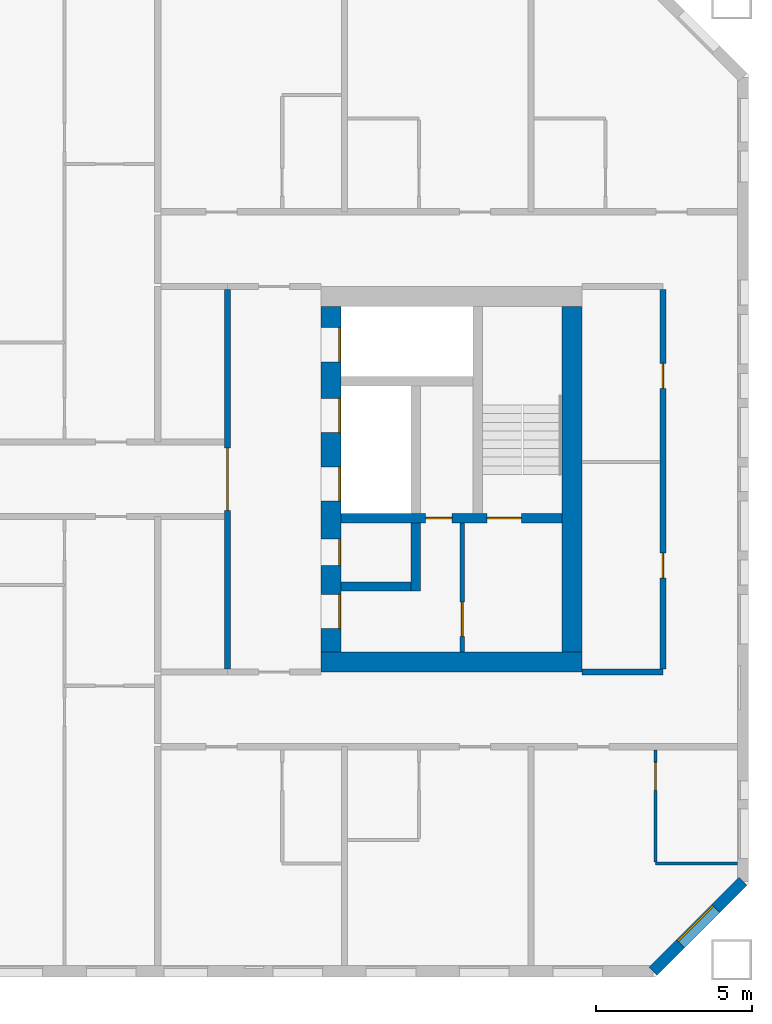
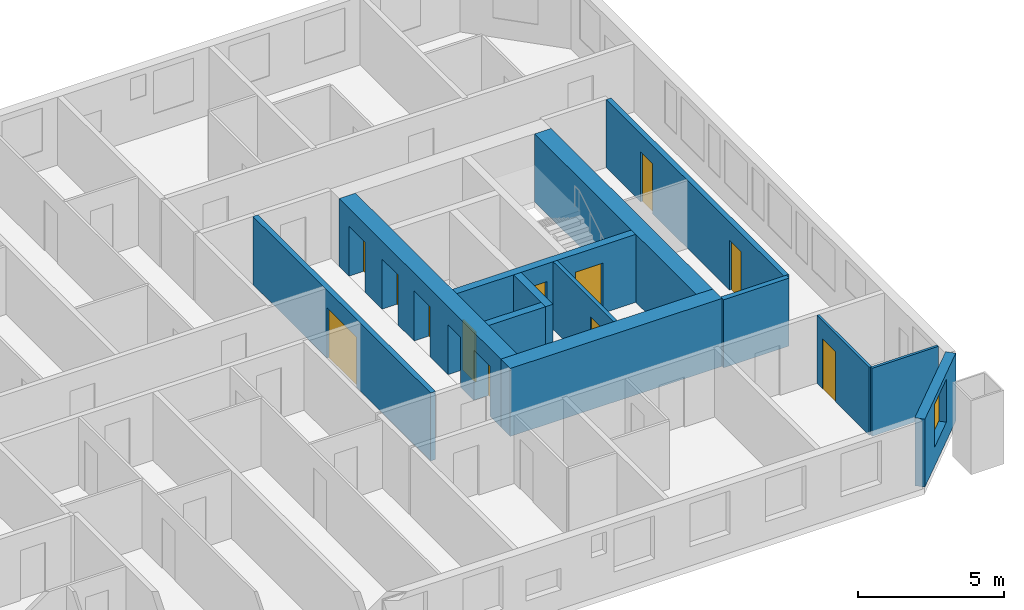
# One storey, part 13 of 17: 13 walls, 12 doors, 1 window, 13 openings.
"""IFC4 building model written with IfcOpenShell, lengths in metres."""

from ifc_helpers import new_model, si_unit, direction, frame, frame_2d, origin, place, context, subcontext, project, spatial, rectangle, extrude, material, layer, layer_set, type_object, element, fill, save


model = new_model("IFC4")

# Units and contexts
model_context = context("Model", 3, precision=1e-05, world=origin(), true_north=direction((0.0, 1.0)))
body_context = subcontext(model_context, "Body", "Model", "MODEL_VIEW")
ifc_project = project(units=[si_unit("LENGTHUNIT", "METRE"), si_unit("AREAUNIT", "SQUARE_METRE"), si_unit("VOLUMEUNIT", "CUBIC_METRE"), si_unit("PLANEANGLEUNIT", "RADIAN"), si_unit("MASSUNIT", "GRAM", prefix="KILO")], contexts=[model_context])

# Site, building, storey
site_placement = place(None, origin())
site = spatial("IfcSite", under=ifc_project, at=site_placement, CompositionType="ELEMENT")
building_placement = place(site_placement, origin())
building = spatial("IfcBuilding", under=site, at=building_placement, Name="Tuart Gate Housing", CompositionType="ELEMENT")
storey_placement = place(building_placement, frame((0.0, 0.0, 108.800048828125)))
storey = spatial("IfcBuildingStorey", under=building, at=storey_placement, Name="L30", CompositionType="ELEMENT", Elevation=108.800048828125)

# Wall, opening, window
ifc_material_1 = material(Name="Brick", Category="masonry")
ifc_layer_1 = layer(ifc_material_1, 0.360107421875)
ifc_layer_set_1 = layer_set([ifc_layer_1], Name="Brick pier and spandrel wall 360")
wall_type_1 = type_object("IfcWallType", Name="Brick pier and spandrel wall 360", PredefinedType="STANDARD", material=ifc_layer_set_1)
wall_1_placement = place(storey_placement, frame((170.92529296875, 54.179931640625, 0.0), z_axis=(0.0, 0.0, 1.0), x_axis=(0.707106781187, 0.707106781187, 0.0)))
wall_1 = element("IfcWall", 1, at=wall_1_placement, inside=storey, type_object=wall_type_1, Name="External wall B-SE L30", PredefinedType="STANDARD", context=body_context, shape_type="SweptSolid", body=[
    extrude(rectangle(XDim=4.09375, YDim=0.360107421875, at=frame_2d((2.046875, 0.0))), origin(), (0.0, 0.0, 1.0), 2.849853515625),
])
opening_1_placement = place(wall_1_placement, frame((1.2470703125, 0.0, 0.800048828125)))
opening_1 = element("IfcOpeningElement", 2, at=opening_1_placement, cuts=wall_1, Name="Opening W1", PredefinedType="OPENING", context=body_context, shape_type="SweptSolid", body=[
    extrude(rectangle(XDim=1.60009765625, YDim=1.800048828125, at=frame_2d((0.800048828125, 0.89990234375))), frame((0.0, 0.18994140625, 0.0), z_axis=(0.0, -1.0, 0.0), x_axis=(1.0, 0.0, 0.0)), (0.0, 0.0, 1.0), 0.380126953125),
])
ifc_material_2 = material(Name="Aluminium frame with clear glass", Category="aluminium")
window_type = type_object("IfcWindowType", Name="Punched window 1600 x 1800", PartitioningType="SINGLE_PANEL", PredefinedType="WINDOW", material=ifc_material_2)
window_placement = place(opening_1_placement, origin())
window = element("IfcWindow", 3, at=window_placement, inside=storey, type_object=window_type, Name="Window W1", OverallHeight=1.800048828125, OverallWidth=1.60009765625, PartitioningType="SINGLE_PANEL", PredefinedType="WINDOW", context=body_context, shape_type="SweptSolid", body=[
    extrude(rectangle(XDim=1.60009765625, YDim=1.800048828125, at=frame_2d((0.800048828125, 0.89990234375))), frame((0.0, 0.150146484375, 0.0), z_axis=(0.0, -1.0, 0.0), x_axis=(1.0, 0.0, 0.0)), (0.0, 0.0, 1.0), 0.06005859375),
])
fill(opening_1, window)

# Wall, opening, door
ifc_material_3 = material(Name="Plasterboard partition")
ifc_layer_2 = layer(ifc_material_3, 0.14990234375)
ifc_layer_set_2 = layer_set([ifc_layer_2], Name="Core partition 150")
wall_type_2 = type_object("IfcWallType", Name="Core partition 150", PredefinedType="PARTITIONING", material=ifc_layer_set_2)
wall_2_placement = place(storey_placement, frame((164.7900390625, 68.60009765625, 0.0), z_axis=(0.0, 0.0, 1.0), x_axis=(0.0, -1.0, 0.0)))
wall_2 = element("IfcWall", 4, at=wall_2_placement, inside=storey, type_object=wall_type_2, Name="Core partition BK.6", PredefinedType="PARTITIONING", context=body_context, shape_type="SweptSolid", body=[
    extrude(rectangle(XDim=4.150146484375, YDim=0.14990234375, at=frame_2d((2.0751953125, 0.0))), origin(), (0.0, 0.0, 1.0), 2.849853515625),
])
opening_2_placement = place(wall_2_placement, frame((2.550048828125, 0.0, 0.0)))
opening_2 = element("IfcOpeningElement", 5, at=opening_2_placement, cuts=wall_2, Name="Opening D1271", PredefinedType="OPENING", context=body_context, shape_type="SweptSolid", body=[
    extrude(rectangle(XDim=1.10009765625, YDim=2.10009765625, at=frame_2d((0.550048828125, 1.050048828125))), frame((0.0, 0.0849609375, 0.0), z_axis=(0.0, -1.0, 0.0), x_axis=(1.0, 0.0, 0.0)), (0.0, 0.0, 1.0), 0.169921875),
])
ifc_material_4 = material(Name="Steel fire door", Category="steel")
door_type_1 = type_object("IfcDoorType", Name="Lobby door 1100 x 2100 RH", OperationType="SINGLE_SWING_RIGHT", PredefinedType="DOOR", material=ifc_material_4)
door_1_placement = place(opening_2_placement, origin())
door_1 = element("IfcDoor", 6, at=door_1_placement, inside=storey, type_object=door_type_1, Name="Smoke lobby door BK.KD", OperationType="SINGLE_SWING_RIGHT", OverallHeight=2.10009765625, OverallWidth=1.10009765625, PredefinedType="DOOR", context=body_context, shape_type="SweptSolid", body=[
    extrude(rectangle(XDim=1.10009765625, YDim=2.10009765625, at=frame_2d((0.550048828125, 1.050048828125))), frame((0.0, 0.02490234375, 0.0), z_axis=(0.0, -1.0, 0.0), x_axis=(1.0, 0.0, 0.0)), (0.0, 0.0, 1.0), 0.050048828125),
])
fill(opening_2, door_1)

# Wall, openings, doors
ifc_material_5 = material(Name="Concrete C50", Category="concrete")
ifc_layer_3 = layer(ifc_material_5, 0.300048828125)
ifc_layer_set_3 = layer_set([ifc_layer_3], Name="Core wall 300 C50")
wall_type_3 = type_object("IfcWallType", Name="Core wall 300 C50", PredefinedType="SHEAR", material=ifc_layer_set_3)
wall_3_placement = place(storey_placement, frame((160.889892578125, 68.75, 0.0), z_axis=(0.0, 0.0, 1.0), x_axis=(1.0, 0.0, 0.0)))
wall_3 = element("IfcWall", 7, at=wall_3_placement, inside=storey, type_object=wall_type_3, Name="Core wall BK.2", PredefinedType="SHEAR", context=body_context, shape_type="SweptSolid", body=[
    extrude(rectangle(XDim=7.10009765625, YDim=0.300048828125, at=frame_2d((3.550048828125, 0.0))), origin(), (0.0, 0.0, 1.0), 2.849853515625),
])
opening_3_placement = place(wall_3_placement, frame((4.699951171875, 0.0, 0.0)))
opening_3 = element("IfcOpeningElement", 8, at=opening_3_placement, cuts=wall_3, Name="Opening D1270", PredefinedType="OPENING", context=body_context, shape_type="SweptSolid", body=[
    extrude(rectangle(XDim=1.10009765625, YDim=2.10009765625, at=frame_2d((0.550048828125, 1.050048828125))), frame((0.0, 0.159912109375, 0.0), z_axis=(0.0, -1.0, 0.0), x_axis=(1.0, 0.0, 0.0)), (0.0, 0.0, 1.0), 0.320068359375),
])
opening_4_placement = place(wall_3_placement, frame((2.72509765625, 0.0, 0.0)))
opening_4 = element("IfcOpeningElement", 9, at=opening_4_placement, cuts=wall_3, Name="Opening D1269", PredefinedType="OPENING", context=body_context, shape_type="SweptSolid", body=[
    extrude(rectangle(XDim=0.85009765625, YDim=2.10009765625, at=frame_2d((0.425048828125, 1.050048828125))), frame((0.0, 0.159912109375, 0.0), z_axis=(0.0, -1.0, 0.0), x_axis=(1.0, 0.0, 0.0)), (0.0, 0.0, 1.0), 0.320068359375),
])
ifc_material_6 = material(Name="Steel fire door", Category="steel")
door_type_2 = type_object("IfcDoorType", Name="Riser door 850 x 2100", OperationType="SINGLE_SWING_LEFT", PredefinedType="DOOR", material=ifc_material_6)
door_2_placement = place(opening_4_placement, origin())
door_2 = element("IfcDoor", 10, at=door_2_placement, inside=storey, type_object=door_type_2, Name="Service room door BK.W1", OperationType="SINGLE_SWING_LEFT", OverallHeight=2.10009765625, OverallWidth=0.85009765625, PredefinedType="DOOR", context=body_context, shape_type="SweptSolid", body=[
    extrude(rectangle(XDim=0.85009765625, YDim=2.10009765625, at=frame_2d((0.425048828125, 1.050048828125))), frame((0.0, 0.02490234375, 0.0), z_axis=(0.0, -1.0, 0.0), x_axis=(1.0, 0.0, 0.0)), (0.0, 0.0, 1.0), 0.050048828125),
])
fill(opening_4, door_2)
ifc_material_7 = material(Name="Steel fire door", Category="steel")
door_type_3 = type_object("IfcDoorType", Name="Stair door 1100 x 2100", OperationType="SINGLE_SWING_LEFT", PredefinedType="DOOR", material=ifc_material_7)
door_3_placement = place(opening_3_placement, origin())
door_3 = element("IfcDoor", 11, at=door_3_placement, inside=storey, type_object=door_type_3, Name="Stair door BK.SD", OperationType="SINGLE_SWING_LEFT", OverallHeight=2.10009765625, OverallWidth=1.10009765625, PredefinedType="DOOR", context=body_context, shape_type="SweptSolid", body=[
    extrude(rectangle(XDim=1.10009765625, YDim=2.10009765625, at=frame_2d((0.550048828125, 1.050048828125))), frame((0.0, 0.02490234375, 0.0), z_axis=(0.0, -1.0, 0.0), x_axis=(1.0, 0.0, 0.0)), (0.0, 0.0, 1.0), 0.050048828125),
])
fill(opening_3, door_3)

# Walls
wall_4_placement = place(storey_placement, frame((160.889892578125, 66.550048828125, 0.0), z_axis=(0.0, 0.0, 1.0), x_axis=(1.0, 0.0, 0.0)))
element("IfcWall", 12, at=wall_4_placement, inside=storey, type_object=wall_type_3, Name="Core wall BK.3", PredefinedType="SHEAR", context=body_context, shape_type="SweptSolid", body=[
    extrude(rectangle(XDim=2.25, YDim=0.300048828125, at=frame_2d((1.125, 0.0))), origin(), (0.0, 0.0, 1.0), 2.849853515625),
])
wall_5_placement = place(storey_placement, frame((163.2900390625, 68.60009765625, 0.0), z_axis=(0.0, 0.0, 1.0), x_axis=(0.0, -1.0, 0.0)))
element("IfcWall", 13, at=wall_5_placement, inside=storey, type_object=wall_type_3, Name="Core wall BK.5", PredefinedType="SHEAR", context=body_context, shape_type="SweptSolid", body=[
    extrude(rectangle(XDim=2.2001953125, YDim=0.300048828125, at=frame_2d((1.10009765625, 0.0))), origin(), (0.0, 0.0, 1.0), 2.849853515625),
])

# Wall, openings, doors
ifc_material_8 = material(Name="Concrete C50", Category="concrete")
ifc_layer_4 = layer(ifc_material_8, 0.64990234375)
ifc_layer_set_4 = layer_set([ifc_layer_4], Name="Core wall 650 C50")
wall_type_4 = type_object("IfcWallType", Name="Core wall 650 C50", PredefinedType="SHEAR", material=ifc_layer_set_4)
wall_6_placement = place(storey_placement, frame((160.56494140625, 75.550048828125, 0.0), z_axis=(0.0, 0.0, 1.0), x_axis=(0.0, -1.0, 0.0)))
wall_6 = element("IfcWall", 14, at=wall_6_placement, inside=storey, type_object=wall_type_4, Name="Core wall BK front", PredefinedType="SHEAR", context=body_context, shape_type="SweptSolid", body=[
    extrude(rectangle(XDim=11.10009765625, YDim=0.64990234375, at=frame_2d((5.550048828125, 0.0))), origin(), (0.0, 0.0, 1.0), 2.849853515625),
])
opening_5_placement = place(wall_6_placement, frame((0.675048828125, 0.0, 0.0)))
opening_5 = element("IfcOpeningElement", 15, at=opening_5_placement, cuts=wall_6, Name="Opening LD-FB2", PredefinedType="OPENING", context=body_context, shape_type="SweptSolid", body=[
    extrude(rectangle(XDim=1.10009765625, YDim=2.10009765625, at=frame_2d((0.550048828125, 1.050048828125))), frame((0.0, 0.3349609375, 0.0), z_axis=(0.0, -1.0, 0.0), x_axis=(1.0, 0.0, 0.0)), (0.0, 0.0, 1.0), 0.669921875),
])
opening_6_placement = place(wall_6_placement, frame((2.949951171875, 0.0, 0.0)))
opening_6 = element("IfcOpeningElement", 16, at=opening_6_placement, cuts=wall_6, Name="Opening LD-LB3", PredefinedType="OPENING", context=body_context, shape_type="SweptSolid", body=[
    extrude(rectangle(XDim=1.10009765625, YDim=2.10009765625, at=frame_2d((0.550048828125, 1.050048828125))), frame((0.0, 0.3349609375, 0.0), z_axis=(0.0, -1.0, 0.0), x_axis=(1.0, 0.0, 0.0)), (0.0, 0.0, 1.0), 0.669921875),
])
opening_7_placement = place(wall_6_placement, frame((5.14990234375, 0.0, 0.0)))
opening_7 = element("IfcOpeningElement", 17, at=opening_7_placement, cuts=wall_6, Name="Opening LD-LB4", PredefinedType="OPENING", context=body_context, shape_type="SweptSolid", body=[
    extrude(rectangle(XDim=1.10009765625, YDim=2.10009765625, at=frame_2d((0.550048828125, 1.050048828125))), frame((0.0, 0.3349609375, 0.0), z_axis=(0.0, -1.0, 0.0), x_axis=(1.0, 0.0, 0.0)), (0.0, 0.0, 1.0), 0.669921875),
])
opening_8_placement = place(wall_6_placement, frame((9.25, 0.0, 0.0)))
opening_8 = element("IfcOpeningElement", 18, at=opening_8_placement, cuts=wall_6, Name="Opening D1263", PredefinedType="OPENING", context=body_context, shape_type="SweptSolid", body=[
    extrude(rectangle(XDim=1.10009765625, YDim=2.10009765625, at=frame_2d((0.550048828125, 1.050048828125))), frame((0.0, 0.3349609375, 0.0), z_axis=(0.0, -1.0, 0.0), x_axis=(1.0, 0.0, 0.0)), (0.0, 0.0, 1.0), 0.669921875),
])
opening_9_placement = place(wall_6_placement, frame((7.47509765625, 0.0, 0.0)))
opening_9 = element("IfcOpeningElement", 19, at=opening_9_placement, cuts=wall_6, Name="Opening D1264", PredefinedType="OPENING", context=body_context, shape_type="SweptSolid", body=[
    extrude(rectangle(XDim=0.85009765625, YDim=2.10009765625, at=frame_2d((0.425048828125, 1.050048828125))), frame((0.0, 0.3349609375, 0.0), z_axis=(0.0, -1.0, 0.0), x_axis=(1.0, 0.0, 0.0)), (0.0, 0.0, 1.0), 0.669921875),
])
ifc_material_9 = material(Name="Stainless steel", Category="steel")
door_type_4 = type_object("IfcDoorType", Name="Landing door 1100 x 2100", OperationType="DOUBLE_DOOR_SLIDING", PredefinedType="DOOR", material=ifc_material_9)
door_4_placement = place(opening_5_placement, origin())
door_4 = element("IfcDoor", 20, at=door_4_placement, inside=storey, type_object=door_type_4, Name="Lift landing door FB2", OperationType="DOUBLE_DOOR_SLIDING", OverallHeight=2.10009765625, OverallWidth=1.10009765625, PredefinedType="DOOR", context=body_context, shape_type="SweptSolid", body=[
    extrude(rectangle(XDim=1.10009765625, YDim=2.10009765625, at=frame_2d((0.550048828125, 1.050048828125))), frame((0.0, 0.31005859375, 0.0), z_axis=(0.0, -1.0, 0.0), x_axis=(1.0, 0.0, 0.0)), (0.0, 0.0, 1.0), 0.050048828125),
])
fill(opening_5, door_4)
door_5_placement = place(opening_6_placement, origin())
door_5 = element("IfcDoor", 21, at=door_5_placement, inside=storey, type_object=door_type_4, Name="Lift landing door LB3", OperationType="DOUBLE_DOOR_SLIDING", OverallHeight=2.10009765625, OverallWidth=1.10009765625, PredefinedType="DOOR", context=body_context, shape_type="SweptSolid", body=[
    extrude(rectangle(XDim=1.10009765625, YDim=2.10009765625, at=frame_2d((0.550048828125, 1.050048828125))), frame((0.0, 0.31005859375, 0.0), z_axis=(0.0, -1.0, 0.0), x_axis=(1.0, 0.0, 0.0)), (0.0, 0.0, 1.0), 0.050048828125),
])
fill(opening_6, door_5)
door_6_placement = place(opening_7_placement, origin())
door_6 = element("IfcDoor", 22, at=door_6_placement, inside=storey, type_object=door_type_4, Name="Lift landing door LB4", OperationType="DOUBLE_DOOR_SLIDING", OverallHeight=2.10009765625, OverallWidth=1.10009765625, PredefinedType="DOOR", context=body_context, shape_type="SweptSolid", body=[
    extrude(rectangle(XDim=1.10009765625, YDim=2.10009765625, at=frame_2d((0.550048828125, 1.050048828125))), frame((0.0, 0.31005859375, 0.0), z_axis=(0.0, -1.0, 0.0), x_axis=(1.0, 0.0, 0.0)), (0.0, 0.0, 1.0), 0.050048828125),
])
fill(opening_7, door_6)
ifc_material_10 = material(Name="Steel fire door", Category="steel")
door_type_5 = type_object("IfcDoorType", Name="Lobby door 1100 x 2100", OperationType="SINGLE_SWING_LEFT", PredefinedType="DOOR", material=ifc_material_10)
door_7_placement = place(opening_8_placement, origin())
door_7 = element("IfcDoor", 23, at=door_7_placement, inside=storey, type_object=door_type_5, Name="Lobby entry door BK.EN", OperationType="SINGLE_SWING_LEFT", OverallHeight=2.10009765625, OverallWidth=1.10009765625, PredefinedType="DOOR", context=body_context, shape_type="SweptSolid", body=[
    extrude(rectangle(XDim=1.10009765625, YDim=2.10009765625, at=frame_2d((0.550048828125, 1.050048828125))), frame((0.0, 0.31005859375, 0.0), z_axis=(0.0, -1.0, 0.0), x_axis=(1.0, 0.0, 0.0)), (0.0, 0.0, 1.0), 0.050048828125),
])
fill(opening_8, door_7)
ifc_material_11 = material(Name="Steel fire door", Category="steel")
door_type_6 = type_object("IfcDoorType", Name="Service door 850 x 2100", OperationType="SINGLE_SWING_LEFT", PredefinedType="DOOR", material=ifc_material_11)
door_8_placement = place(opening_9_placement, origin())
door_8 = element("IfcDoor", 24, at=door_8_placement, inside=storey, type_object=door_type_6, Name="Service room door BK.T1", OperationType="SINGLE_SWING_LEFT", OverallHeight=2.10009765625, OverallWidth=0.85009765625, PredefinedType="DOOR", context=body_context, shape_type="SweptSolid", body=[
    extrude(rectangle(XDim=0.85009765625, YDim=2.10009765625, at=frame_2d((0.425048828125, 1.050048828125))), frame((0.0, 0.31005859375, 0.0), z_axis=(0.0, -1.0, 0.0), x_axis=(1.0, 0.0, 0.0)), (0.0, 0.0, 1.0), 0.050048828125),
])
fill(opening_9, door_8)

# Walls
wall_7_placement = place(storey_placement, frame((168.31494140625, 75.550048828125, 0.0), z_axis=(0.0, 0.0, 1.0), x_axis=(0.0, -1.0, 0.0)))
element("IfcWall", 25, at=wall_7_placement, inside=storey, type_object=wall_type_4, Name="Core wall BK back", PredefinedType="SHEAR", context=body_context, shape_type="SweptSolid", body=[
    extrude(rectangle(XDim=11.10009765625, YDim=0.64990234375, at=frame_2d((5.550048828125, 0.0))), origin(), (0.0, 0.0, 1.0), 2.849853515625),
])
wall_8_placement = place(storey_placement, frame((160.239990234375, 64.125, 0.0), z_axis=(0.0, 0.0, 1.0), x_axis=(1.0, 0.0, 0.0)))
element("IfcWall", 26, at=wall_8_placement, inside=storey, type_object=wall_type_4, Name="Core wall BK north", PredefinedType="SHEAR", context=body_context, shape_type="SweptSolid", body=[
    extrude(rectangle(XDim=8.39990234375, YDim=0.64990234375, at=frame_2d((4.199951171875, 0.0))), origin(), (0.0, 0.0, 1.0), 2.849853515625),
])
ifc_material_12 = material(Name="Concrete masonry 15 MPa", Category="masonry")
ifc_layer_5 = layer(ifc_material_12, 0.199951171875)
ifc_layer_set_5 = layer_set([ifc_layer_5], Name="Corridor wall masonry 200")
wall_type_5 = type_object("IfcWallType", Name="Corridor wall masonry 200", PredefinedType="PARTITIONING", material=ifc_layer_set_5)
wall_9_placement = place(storey_placement, frame((168.639892578125, 63.800048828125, 0.0), z_axis=(0.0, 0.0, 1.0), x_axis=(1.0, 0.0, 0.0)))
element("IfcWall", 27, at=wall_9_placement, inside=storey, type_object=wall_type_5, Name="Corridor wall masonry 200", PredefinedType="PARTITIONING", context=body_context, shape_type="SweptSolid", body=[
    extrude(rectangle(XDim=2.60009765625, YDim=0.199951171875, at=frame_2d((1.300048828125, 0.0))), origin(), (0.0, 0.0, 1.0), 2.849853515625),
])

# Wall, openings, doors
wall_10_placement = place(storey_placement, frame((171.239990234375, 63.89990234375, 0.0), z_axis=(0.0, 0.0, 1.0), x_axis=(0.0, 1.0, 0.0)))
wall_10 = element("IfcWall", 28, at=wall_10_placement, inside=storey, type_object=wall_type_5, Name="Corridor wall masonry 200", PredefinedType="PARTITIONING", context=body_context, shape_type="SweptSolid", body=[
    extrude(rectangle(XDim=12.2001953125, YDim=0.199951171875, at=frame_2d((6.10009765625, 0.0))), origin(), (0.0, 0.0, 1.0), 2.849853515625),
])
opening_10_placement = place(wall_10_placement, frame((2.925048828125, 0.0, 0.0)))
opening_10 = element("IfcOpeningElement", 29, at=opening_10_placement, cuts=wall_10, Name="Opening D1265", PredefinedType="OPENING", context=body_context, shape_type="SweptSolid", body=[
    extrude(rectangle(XDim=0.800048828125, YDim=2.10009765625, at=frame_2d((0.39990234375, 1.050048828125))), frame((0.0, 0.10986328125, 0.0), z_axis=(0.0, -1.0, 0.0), x_axis=(1.0, 0.0, 0.0)), (0.0, 0.0, 1.0), 0.219970703125),
])
opening_11_placement = place(wall_10_placement, frame((9.02490234375, 0.0, 0.0)))
opening_11 = element("IfcOpeningElement", 30, at=opening_11_placement, cuts=wall_10, Name="Opening D1266", PredefinedType="OPENING", context=body_context, shape_type="SweptSolid", body=[
    extrude(rectangle(XDim=0.800048828125, YDim=2.10009765625, at=frame_2d((0.39990234375, 1.050048828125))), frame((0.0, 0.10986328125, 0.0), z_axis=(0.0, -1.0, 0.0), x_axis=(1.0, 0.0, 0.0)), (0.0, 0.0, 1.0), 0.219970703125),
])
ifc_material_13 = material(Name="Timber door leaf in steel frame", Category="steel")
door_type_7 = type_object("IfcDoorType", Name="Store door 800", OperationType="SINGLE_SWING_LEFT", PredefinedType="DOOR", material=ifc_material_13)
door_9_placement = place(opening_11_placement, origin())
door_9 = element("IfcDoor", 31, at=door_9_placement, inside=storey, type_object=door_type_7, Name="Store door", OperationType="SINGLE_SWING_LEFT", OverallHeight=2.10009765625, OverallWidth=0.800048828125, PredefinedType="DOOR", context=body_context, shape_type="SweptSolid", body=[
    extrude(rectangle(XDim=0.800048828125, YDim=2.10009765625, at=frame_2d((0.39990234375, 1.050048828125))), frame((0.0, 0.02490234375, 0.0), z_axis=(0.0, -1.0, 0.0), x_axis=(1.0, 0.0, 0.0)), (0.0, 0.0, 1.0), 0.050048828125),
])
fill(opening_11, door_9)
ifc_material_14 = material(Name="Timber door leaf in steel frame", Category="steel")
door_type_8 = type_object("IfcDoorType", Name="Store door 800 RH", OperationType="SINGLE_SWING_RIGHT", PredefinedType="DOOR", material=ifc_material_14)
door_10_placement = place(opening_10_placement, origin())
door_10 = element("IfcDoor", 32, at=door_10_placement, inside=storey, type_object=door_type_8, Name="Store door", OperationType="SINGLE_SWING_RIGHT", OverallHeight=2.10009765625, OverallWidth=0.800048828125, PredefinedType="DOOR", context=body_context, shape_type="SweptSolid", body=[
    extrude(rectangle(XDim=0.800048828125, YDim=2.10009765625, at=frame_2d((0.39990234375, 1.050048828125))), frame((0.0, 0.02490234375, 0.0), z_axis=(0.0, -1.0, 0.0), x_axis=(1.0, 0.0, 0.0)), (0.0, 0.0, 1.0), 0.050048828125),
])
fill(opening_10, door_10)

# Wall, opening, door
ifc_material_15 = material(Name="Plasterboard partition")
ifc_layer_6 = layer(ifc_material_15, 0.199951171875)
ifc_layer_set_6 = layer_set([ifc_layer_6], Name="Lobby wall 200")
wall_type_6 = type_object("IfcWallType", Name="Lobby wall 200", PredefinedType="PARTITIONING", material=ifc_layer_set_6)
wall_11_placement = place(storey_placement, frame((157.239990234375, 63.89990234375, 0.0), z_axis=(0.0, 0.0, 1.0), x_axis=(0.0, 1.0, 0.0)))
wall_11 = element("IfcWall", 33, at=wall_11_placement, inside=storey, type_object=wall_type_6, Name="Lift lobby wall BK", PredefinedType="PARTITIONING", context=body_context, shape_type="SweptSolid", body=[
    extrude(rectangle(XDim=12.2001953125, YDim=0.199951171875, at=frame_2d((6.10009765625, 0.0))), origin(), (0.0, 0.0, 1.0), 2.849853515625),
])
opening_12_placement = place(wall_11_placement, frame((5.10009765625, 0.0, 0.0)))
opening_12 = element("IfcOpeningElement", 34, at=opening_12_placement, cuts=wall_11, Name="Opening D1262", PredefinedType="OPENING", context=body_context, shape_type="SweptSolid", body=[
    extrude(rectangle(XDim=2.0, YDim=2.10009765625, at=frame_2d((1.0, 1.050048828125))), frame((0.0, 0.10986328125, 0.0), z_axis=(0.0, -1.0, 0.0), x_axis=(1.0, 0.0, 0.0)), (0.0, 0.0, 1.0), 0.219970703125),
])
ifc_material_16 = material(Name="Steel fire door", Category="steel")
door_type_9 = type_object("IfcDoorType", Name="Smoke door 2000 x 2100", OperationType="DOUBLE_DOOR_SINGLE_SWING", PredefinedType="DOOR", material=ifc_material_16)
door_11_placement = place(opening_12_placement, frame((2.0, 0.0, 0.0), z_axis=(0.0, 0.0, 1.0), x_axis=(-1.0, 0.0, 0.0)))
door_11 = element("IfcDoor", 35, at=door_11_placement, inside=storey, type_object=door_type_9, Name="Lift lobby smoke door BK", OperationType="DOUBLE_DOOR_SINGLE_SWING", OverallHeight=2.10009765625, OverallWidth=2.0, PredefinedType="DOOR", context=body_context, shape_type="SweptSolid", body=[
    extrude(rectangle(XDim=2.0, YDim=2.10009765625, at=frame_2d((1.0, 1.050048828125))), frame((0.0, 0.025146484375, 0.0), z_axis=(0.0, -1.0, 0.0), x_axis=(1.0, 0.0, 0.0)), (0.0, 0.0, 1.0), 0.050048828125),
])
fill(opening_12, door_11)

# Wall
ifc_material_17 = material(Name="Gypsum board on steel studs", Category="steel")
ifc_layer_7 = layer(ifc_material_17, 0.10009765625)
ifc_layer_set_7 = layer_set([ifc_layer_7], Name="Partition 100")
wall_type_7 = type_object("IfcWallType", Name="Partition 100", PredefinedType="PARTITIONING", material=ifc_layer_set_7)
wall_12_placement = place(storey_placement, frame((171.0, 57.64990234375, 0.0), z_axis=(0.0, 0.0, 1.0), x_axis=(1.0, 0.0, 0.0)))
element("IfcWall", 36, at=wall_12_placement, inside=storey, type_object=wall_type_7, Name="Partition 100", PredefinedType="PARTITIONING", context=body_context, shape_type="SweptSolid", body=[
    extrude(rectangle(XDim=2.639892578125, YDim=0.10009765625, at=frame_2d((1.31982421875, 0.0))), origin(), (0.0, 0.0, 1.0), 2.849853515625),
])

# Wall, opening, door
wall_13_placement = place(storey_placement, frame((171.0, 57.699951171875, 0.0), z_axis=(0.0, 0.0, 1.0), x_axis=(0.0, 1.0, 0.0)))
wall_13 = element("IfcWall", 37, at=wall_13_placement, inside=storey, type_object=wall_type_7, Name="Partition 100", PredefinedType="PARTITIONING", context=body_context, shape_type="SweptSolid", body=[
    extrude(rectangle(XDim=3.60009765625, YDim=0.10009765625, at=frame_2d((1.800048828125, 0.0))), origin(), (0.0, 0.0, 1.0), 2.849853515625),
])
opening_13_placement = place(wall_13_placement, frame((2.300048828125, 0.0, 0.0)))
opening_13 = element("IfcOpeningElement", 38, at=opening_13_placement, cuts=wall_13, Name="Opening D1287", PredefinedType="OPENING", context=body_context, shape_type="SweptSolid", body=[
    extrude(rectangle(XDim=0.89990234375, YDim=2.10009765625, at=frame_2d((0.449951171875, 1.050048828125))), frame((0.0, 0.06005859375, 0.0), z_axis=(0.0, -1.0, 0.0), x_axis=(1.0, 0.0, 0.0)), (0.0, 0.0, 1.0), 0.1201171875),
])
ifc_material_18 = material(Name="Timber door leaf in steel frame", Category="steel")
door_type_10 = type_object("IfcDoorType", Name="Bathroom door 900", OperationType="SINGLE_SWING_LEFT", PredefinedType="DOOR", material=ifc_material_18)
door_12_placement = place(opening_13_placement, frame((0.89990234375, 0.0, 0.0), z_axis=(0.0, 0.0, 1.0), x_axis=(-1.0, 0.0, 0.0)))
door_12 = element("IfcDoor", 39, at=door_12_placement, inside=storey, type_object=door_type_10, Name="Bathroom door", OperationType="SINGLE_SWING_LEFT", OverallHeight=2.10009765625, OverallWidth=0.89990234375, PredefinedType="DOOR", context=body_context, shape_type="SweptSolid", body=[
    extrude(rectangle(XDim=0.89990234375, YDim=2.10009765625, at=frame_2d((0.449951171875, 1.050048828125))), frame((0.0, 0.025146484375, 0.0), z_axis=(0.0, -1.0, 0.0), x_axis=(1.0, 0.0, 0.0)), (0.0, 0.0, 1.0), 0.050048828125),
])
fill(opening_13, door_12)

save(model, "model.ifc")
